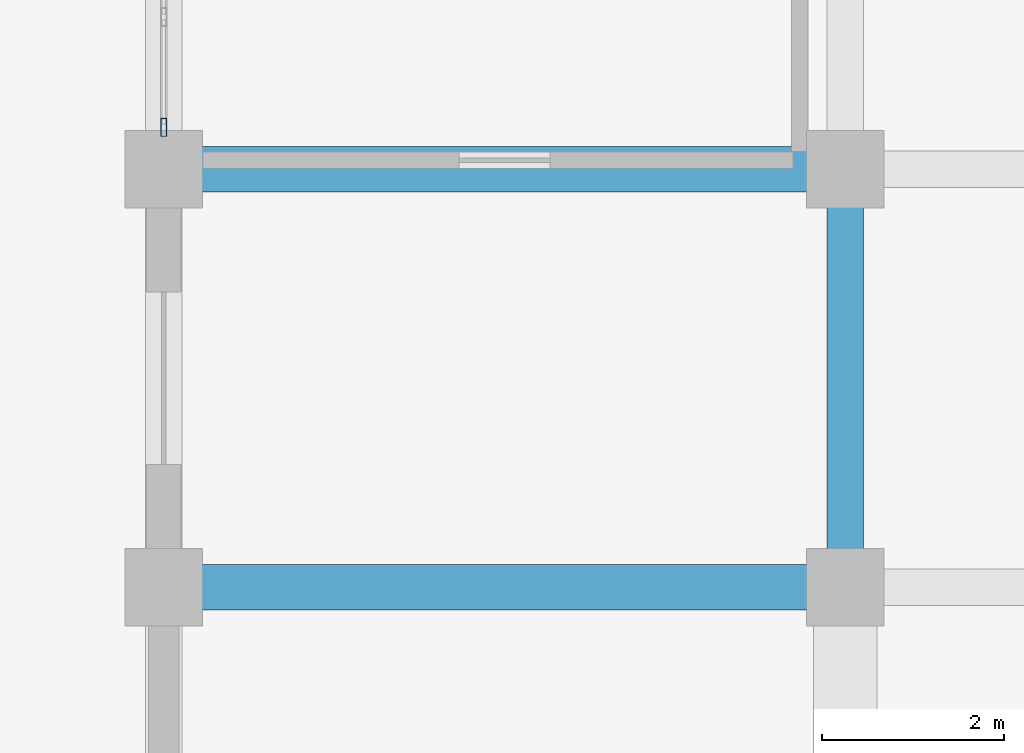
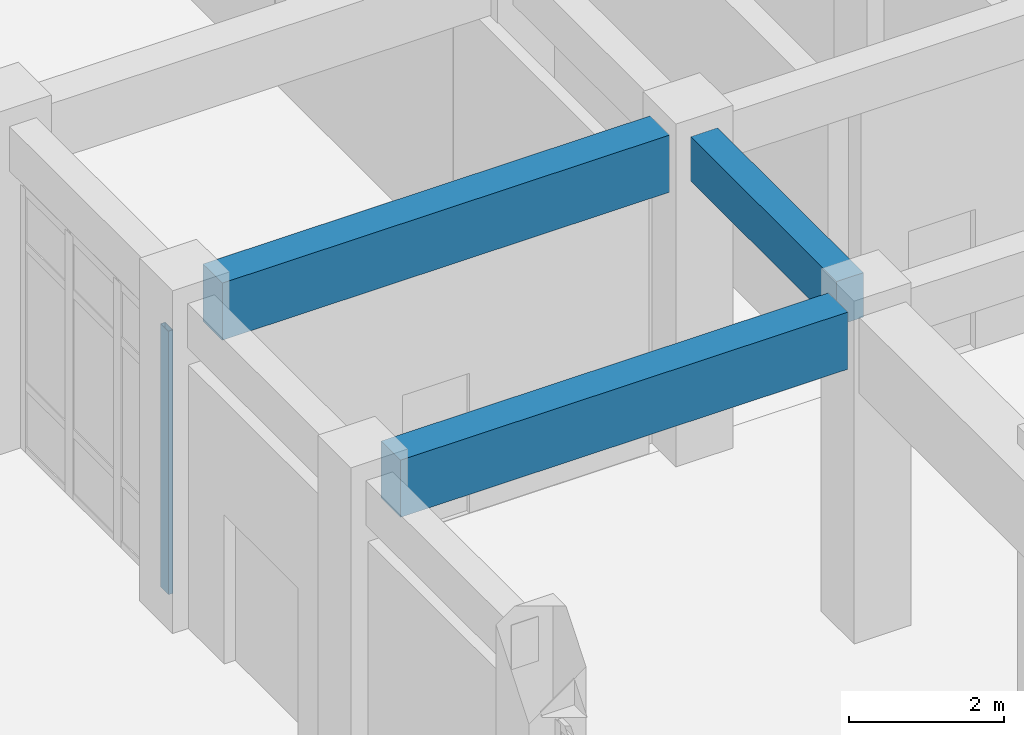
# One storey, part 7 of 84: 3 beams, 1 member, 1 element without a shape of its own.
"""IFC4 building model written with IfcOpenShell, lengths in metres."""

import ifcopenshell
import ifcopenshell.guid

model = None  # the IFC model being written
_history = None  # IfcOwnerHistory: only IFC2X3 demands one
_inside = {}  # id of a spatial element -> (the spatial element, [elements in it])
_under = {}  # id of a project, library or spatial element -> (it, [spatial elements below it])
_declared = {}  # id of a project -> (the project, [libraries it declares])
_typed = {}  # id of a type object -> (the type object, [elements of that type])
_made_of = {}  # id of a material, layer set ... -> (it, [elements and type objects made of it])


def new_model(schema):
    """Start an empty IFC model of exactly this schema.

    Asked for "IFC4X3", IfcOpenShell would pick the latest addendum, in which some entities
    have other attributes; the version numbers below select the first issue.
    IFC2X3 requires an IfcOwnerHistory on every rooted entity: one is made here for all.
    """
    global model, _history
    if schema == "IFC4X3":
        model = ifcopenshell.file(schema_version=(4, 3, 0, 0))
    else:
        model = ifcopenshell.file(schema=schema)
    _inside.clear()
    _under.clear()
    _declared.clear()
    _typed.clear()
    _made_of.clear()
    _history = None
    if model.schema == "IFC2X3":
        org = make("IfcOrganization", Name="unknown")
        user = make(
            "IfcPersonAndOrganization",
            ThePerson=make("IfcPerson", FamilyName="unknown"),
            TheOrganization=org,
        )
        app = make(
            "IfcApplication",
            ApplicationDeveloper=org,
            Version="unknown",
            ApplicationFullName="unknown",
            ApplicationIdentifier="unknown",
        )
        _history = make(
            "IfcOwnerHistory",
            OwningUser=user,
            OwningApplication=app,
            ChangeAction="ADDED",
            CreationDate=0,
        )
    return model


def make(cls, **values):
    """One entity of the class cls with the attributes given. An attribute that is None is left unset."""
    return model.create_entity(
        cls, **{name: value for name, value in values.items() if value is not None}
    )


def rooted(cls, **values):
    """An entity with a GlobalId (a new one), such as an element, a storey or a relation."""
    return make(cls, GlobalId=ifcopenshell.guid.new(), OwnerHistory=_history, **values)


def si_unit(unit_type, name, prefix=None):
    """IfcSIUnit, for example si_unit("LENGTHUNIT", "METRE", prefix="MILLI")."""
    return make("IfcSIUnit", UnitType=unit_type, Prefix=prefix, Name=name)


def assignment(units):
    """IfcUnitAssignment: the units of a project."""
    return None if units is None else make("IfcUnitAssignment", Units=units)


def point(xyz):
    """IfcCartesianPoint."""
    return None if xyz is None else make("IfcCartesianPoint", Coordinates=xyz)


def direction(xyz):
    """IfcDirection."""
    return None if xyz is None else make("IfcDirection", DirectionRatios=xyz)


def frame(location, z_axis=None, x_axis=None):
    """IfcAxis2Placement3D, a coordinate frame: its origin and axes. An axis left out is left unset."""
    return make(
        "IfcAxis2Placement3D",
        Location=point(location),
        Axis=direction(z_axis),
        RefDirection=direction(x_axis),
    )


def frame_2d(location, x_axis=None):
    """IfcAxis2Placement2D, a coordinate frame in the plane: its origin and x axis."""
    return make(
        "IfcAxis2Placement2D", Location=point(location), RefDirection=direction(x_axis)
    )


def origin():
    """The frame at (0, 0, 0) with its axes left unset."""
    return frame((0.0, 0.0, 0.0))


def origin_2d():
    """The frame at (0, 0) in the plane with its x axis left unset."""
    return frame_2d((0.0, 0.0))


def place(relative_to, where):
    """IfcLocalPlacement: puts the frame where relative to a parent placement (None: the world)."""
    return make(
        "IfcLocalPlacement", PlacementRelTo=relative_to, RelativePlacement=where
    )


def context(
    kind, dimensions, precision=None, world=None, true_north=None, identifier=None
):
    """IfcGeometricRepresentationContext, for example the 3D "Model" context."""
    return make(
        "IfcGeometricRepresentationContext",
        ContextIdentifier=identifier,
        ContextType=kind,
        CoordinateSpaceDimension=dimensions,
        Precision=precision,
        WorldCoordinateSystem=world,
        TrueNorth=true_north,
    )


def subcontext(parent, identifier, kind, view, scale=None):
    """IfcGeometricRepresentationSubContext, for example "Body" below "Model"."""
    return make(
        "IfcGeometricRepresentationSubContext",
        ContextIdentifier=identifier,
        ContextType=kind,
        ParentContext=parent,
        TargetScale=scale,
        TargetView=view,
    )


def project(units=None, contexts=None):
    """IfcProject with its units and contexts."""
    return rooted(
        "IfcProject",
        Name="project",
        RepresentationContexts=contexts,
        UnitsInContext=assignment(units),
    )


def spatial(cls, under=None, at=None, **own):
    """A site, building, storey or space (cls), placed at a placement, below another one or the project."""
    s = rooted(cls, ObjectPlacement=at, **own)
    if under is not None:
        _under.setdefault(under.id(), (under, []))[1].append(s)
    return s


def profile(cls, at=None, kind="AREA", **sizes):
    """A parametric profile (cls). Its sizes go by their IFC names, for example OverallWidth=200.0."""
    return make(cls, ProfileType=kind, Position=at, **sizes)


def rectangle(**sizes):
    """IfcRectangleProfileDef."""
    return profile("IfcRectangleProfileDef", **sizes)


def hollow_rectangle(**sizes):
    """IfcRectangleHollowProfileDef."""
    return profile("IfcRectangleHollowProfileDef", **sizes)


def extrude(swept, where, along, depth):
    """IfcExtrudedAreaSolid: the profile swept, set in the frame where, extruded along a direction by depth."""
    return make(
        "IfcExtrudedAreaSolid",
        SweptArea=swept,
        Position=where,
        ExtrudedDirection=direction(along),
        Depth=depth,
    )


def shape(context_of_items, identifier, shape_type, items):
    """IfcShapeRepresentation: the items that make up one representation, for example the "Body"."""
    return make(
        "IfcShapeRepresentation",
        ContextOfItems=context_of_items,
        RepresentationIdentifier=identifier,
        RepresentationType=shape_type,
        Items=items,
    )


def material(Name=None, Category=None):
    """IfcMaterial."""
    return make("IfcMaterial", Name=Name, Category=Category)


def layer(
    of_material, thickness, ventilated=None, Name=None, Category=None, Priority=None
):
    """IfcMaterialLayer: one layer of a wall or slab, of a material (None: an air gap)."""
    return make(
        "IfcMaterialLayer",
        Material=of_material,
        LayerThickness=thickness,
        IsVentilated=ventilated,
        Name=Name,
        Category=Category,
        Priority=Priority,
    )


def layer_set(layers, Name=None):
    """IfcMaterialLayerSet."""
    return make("IfcMaterialLayerSet", MaterialLayers=layers, LayerSetName=Name)


def material_profile(
    of_material, cross_section, Name=None, Category=None, Priority=None
):
    """IfcMaterialProfile: a cross section and its material."""
    return make(
        "IfcMaterialProfile",
        Name=Name,
        Material=of_material,
        Profile=cross_section,
        Priority=Priority,
        Category=Category,
    )


def profile_set(profiles, Name=None, composite=None):
    """IfcMaterialProfileSet."""
    return make(
        "IfcMaterialProfileSet",
        Name=Name,
        MaterialProfiles=profiles,
        CompositeProfile=composite,
    )


def made_of(thing, what):
    """Note that an element or type object is made of a material, layer set ...; save() writes the relation."""
    if what is not None:
        _made_of.setdefault(what.id(), (what, []))[1].append(thing)
    return thing


def type_object(cls, material=None, **own):
    """A type object (cls), such as IfcWallType, which elements share."""
    return made_of(rooted(cls, **own), material)


def element(
    cls,
    number,
    at=None,
    inside=None,
    cuts=None,
    type_object=None,
    material=None,
    context=None,
    identifier="Body",
    shape_type=None,
    held_by="IfcProductDefinitionShape",
    body=None,
    shapes=None,
    **own,
):
    """One element of the class cls, such as IfcWall. Its Tag is "e" and its number.

    at: its placement. inside: the storey or other place that contains it. cuts: it is an
    opening in that element (IfcRelVoidsElement). A single representation is given by context,
    identifier, shape_type and body (its items); several are given by shapes. held_by: the class
    of the entity that holds the representations. save() writes the other relations.
    """
    e = rooted(cls, Tag="e%d" % number, ObjectPlacement=at, **own)
    if body is not None:
        shapes = [shape(context, identifier, shape_type, body)]
    if shapes is not None:
        e.Representation = make(held_by, Representations=shapes)
    if inside is not None:
        _inside.setdefault(inside.id(), (inside, []))[1].append(e)
    if cuts is not None:
        rooted(
            "IfcRelVoidsElement", RelatingBuildingElement=cuts, RelatedOpeningElement=e
        )
    if type_object is not None:
        _typed.setdefault(type_object.id(), (type_object, []))[1].append(e)
    return made_of(e, material)


def aggregate(whole, parts):
    """IfcRelAggregates: a whole, such as a stair, and the parts it consists of."""
    return rooted("IfcRelAggregates", RelatingObject=whole, RelatedObjects=parts)


def save(model, path):
    """Write the relations noted so far, then the file.

    IfcRelAggregates (storeys below a building ...), IfcRelContainedInSpatialStructure (elements
    in a storey), IfcRelDefinesByType, IfcRelAssociatesMaterial and IfcRelDeclares: one each for
    every whole, place, type object, material and project.
    """
    for whole, parts in _under.values():
        aggregate(whole, parts)
    for where, things in _inside.values():
        rooted(
            "IfcRelContainedInSpatialStructure",
            RelatedElements=things,
            RelatingStructure=where,
        )
    for kind, things in _typed.values():
        rooted("IfcRelDefinesByType", RelatedObjects=things, RelatingType=kind)
    for what, things in _made_of.values():
        rooted("IfcRelAssociatesMaterial", RelatedObjects=things, RelatingMaterial=what)
    for by, libraries in _declared.values():
        rooted("IfcRelDeclares", RelatingContext=by, RelatedDefinitions=libraries)
    model.write(path)


model = new_model("IFC4")

# Units and contexts
model_context = context("Model", 3, precision=1e-05, world=origin(), true_north=direction((0.0, 1.0)))
body_context = subcontext(model_context, "Body", "Model", "MODEL_VIEW")
ifc_project = project(units=[si_unit("LENGTHUNIT", "METRE"), si_unit("AREAUNIT", "SQUARE_METRE"), si_unit("VOLUMEUNIT", "CUBIC_METRE"), si_unit("PLANEANGLEUNIT", "RADIAN"), si_unit("MASSUNIT", "GRAM", prefix="KILO")], contexts=[model_context])

# Site, building, storey
site_placement = place(None, origin())
site = spatial("IfcSite", under=ifc_project, at=site_placement, CompositionType="ELEMENT")
building_placement = place(site_placement, origin())
building = spatial("IfcBuilding", under=site, at=building_placement, Name="Muzn Square Opera House", CompositionType="ELEMENT")
storey_placement = place(building_placement, origin())
storey = spatial("IfcBuildingStorey", under=building, at=storey_placement, Name="L00", CompositionType="ELEMENT", Elevation=0.0)

# Curtain wall, member
ifc_material_1 = material(Name="Low-E laminated acoustic double glazing", Category="glass")
ifc_layer = layer(ifc_material_1, 0.159912109375, Name="Low-E laminated acoustic double glazing", Category="glass")
ifc_layer_set = layer_set([ifc_layer], Name="Low-E laminated acoustic double glazing")
curtain_wall_type = type_object("IfcCurtainWallType", Name="Glazed Curtain Wall WestBlvd 3750x4150", PredefinedType="USERDEFINED", material=ifc_layer_set)
curtain_wall_placement = place(storey_placement, origin())
curtain_wall = element("IfcCurtainWall", 1, at=curtain_wall_placement, inside=storey, type_object=curtain_wall_type, Name="Glazed Curtain Wall CW-L00-135", ObjectType="GLAZED CURTAIN WALL", PredefinedType="USERDEFINED")
ifc_material_2 = material(Name="Anodised bronze aluminium 6063-T6", Category="metal")
ifc_material_profile_1 = material_profile(ifc_material_2, hollow_rectangle(XDim=0.070068359375, YDim=0.199951171875, WallThickness=0.0048828125, at=origin_2d()), Name="ALU 200x70x5", Category="metal")
ifc_profile_set_1 = profile_set([ifc_material_profile_1], Name="Anodised bronze aluminium 6063-T6")
member_type = type_object("IfcMemberType", Name="Curtain Wall Mullion 200x70", PredefinedType="MULLION", material=ifc_profile_set_1)
member_placement = place(storey_placement, frame((6.0, 31.659912109375, 0.0), z_axis=(0.0, 0.0, 1.0), x_axis=(-1.0, 0.0, 0.0)))
member = element("IfcMember", 2, at=member_placement, type_object=member_type, Name="CW-WBL-37x41 mullion 1", PredefinedType="MULLION", context=body_context, shape_type="SweptSolid", body=[
    extrude(hollow_rectangle(XDim=0.070068359375, YDim=0.199951171875, WallThickness=0.0048828125, at=origin_2d()), origin(), (0.0, 0.0, 1.0), 4.14990234375),
])
aggregate(curtain_wall, [member])

# Beams
ifc_material_3 = material(Name="Concrete C40/50", Category="concrete")
ifc_material_profile_2 = material_profile(ifc_material_3, rectangle(XDim=0.39990234375, YDim=0.699951171875, at=origin_2d()), Name="RCB 400x700", Category="concrete")
ifc_profile_set_2 = profile_set([ifc_material_profile_2], Name="Concrete C40/50")
beam_type_1 = type_object("IfcBeamType", Name="Primary Girder 400x700", PredefinedType="BEAM", material=ifc_profile_set_2)
beam_placement = place(storey_placement, frame((13.5, 27.01708984375, 4.77001953125), z_axis=(0.0, 1.0, 0.0), x_axis=(-1.0, 0.0, 0.0)))
element("IfcBeam", 3, at=beam_placement, inside=storey, type_object=beam_type_1, Name="Primary Girder BM-L00-BM-PG700-135_270_135_308-968", PredefinedType="BEAM", context=body_context, shape_type="SweptSolid", body=[
    extrude(rectangle(XDim=0.39990234375, YDim=0.699951171875, at=origin_2d()), origin(), (0.0, 0.0, 1.0), 3.765869140625),
])
ifc_material_profile_3 = material_profile(ifc_material_3, rectangle(XDim=0.5, YDim=0.89990234375, at=origin_2d()), Name="RCB 500x900", Category="concrete")
ifc_profile_set_3 = profile_set([ifc_material_profile_3], Name="Concrete C40/50")
beam_type_2 = type_object("IfcBeamType", Name="Primary Girder 500x900", PredefinedType="BEAM", material=ifc_profile_set_3)
for number, where, z_axis, x_axis, name in (
    (4, (6.4169921875, 26.60009765625, 4.669921875), (1.0, 0.0, 0.0), (0.0, 1.0, 0.0), "Primary Girder BM-L00-BM-PG900-64_266_131_266-774"),
    (5, (6.4169921875, 31.199951171875, 4.669921875), (1.0, 0.0, 0.0), (0.0, 1.0, 0.0), "Primary Girder BM-L00-BM-PG900-64_312_131_312-789"),
):
    element("IfcBeam", number, at=place(storey_placement, frame(where, z_axis=z_axis, x_axis=x_axis)), inside=storey, type_object=beam_type_2, Name=name, PredefinedType="BEAM", context=body_context, shape_type="SweptSolid", body=[
        extrude(rectangle(XDim=0.5, YDim=0.89990234375, at=origin_2d()), origin(), (0.0, 0.0, 1.0), 6.666015625),
    ])

save(model, "model.ifc")
